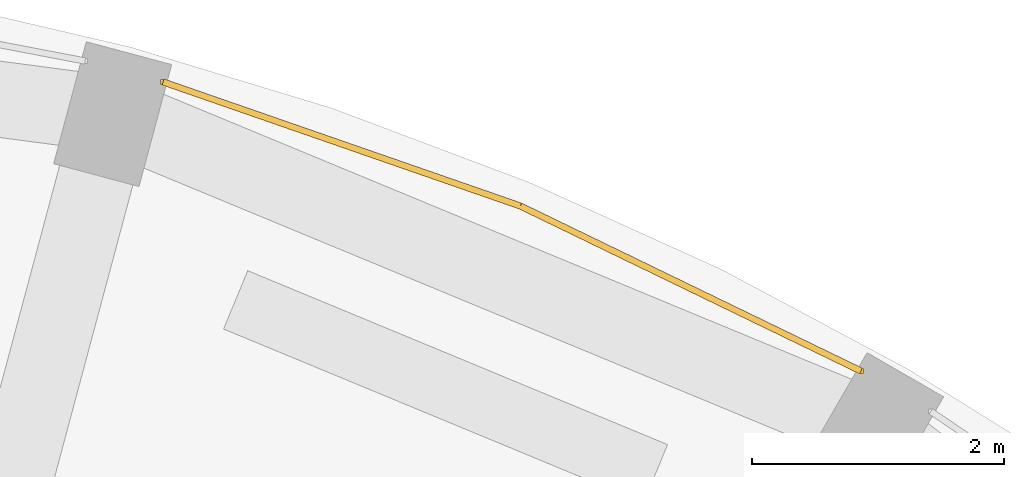
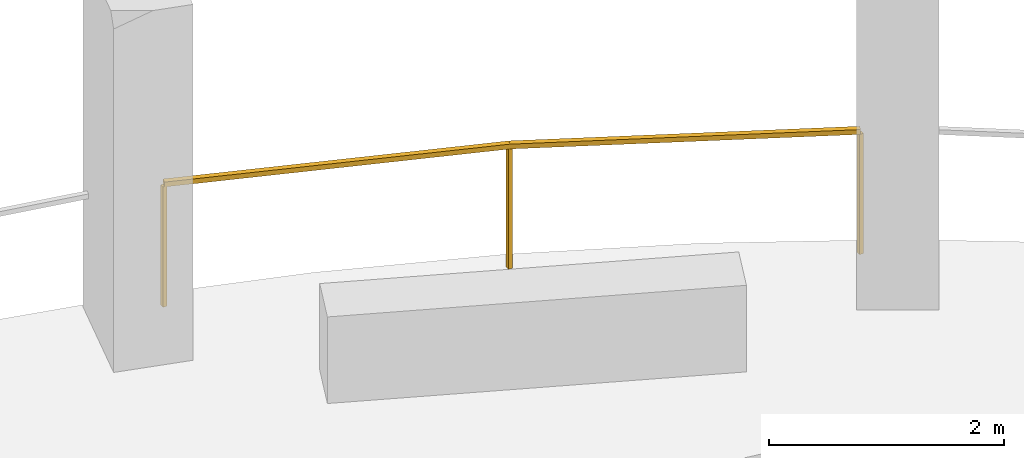
# One storey, part 8 of 8: 1 railing.
"""IFC4 building model written with IfcOpenShell, lengths in metres."""

from ifc_helpers import new_model, si_unit, direction, frame, origin, origin_2d, place, context, subcontext, project, spatial, rectangle, extrude, material, type_object, element, save


model = new_model("IFC4")

# Units and contexts
model_context = context("Model", 3, precision=1e-05, world=origin(), true_north=direction((0.0, 1.0)))
body_context = subcontext(model_context, "Body", "Model", "MODEL_VIEW")
ifc_project = project(units=[si_unit("LENGTHUNIT", "METRE"), si_unit("AREAUNIT", "SQUARE_METRE"), si_unit("VOLUMEUNIT", "CUBIC_METRE"), si_unit("PLANEANGLEUNIT", "RADIAN"), si_unit("MASSUNIT", "GRAM", prefix="KILO")], contexts=[model_context])

# Site, building, storey
site_placement = place(None, origin())
site = spatial("IfcSite", under=ifc_project, at=site_placement, CompositionType="ELEMENT")
building_placement = place(site_placement, origin())
building = spatial("IfcBuilding", under=site, at=building_placement, Name="Torre Triforio", CompositionType="ELEMENT")
storey_placement = place(building_placement, frame((0.0, 0.0, 283.39990234375)))
storey = spatial("IfcBuildingStorey", under=building, at=storey_placement, Name="L65", CompositionType="ELEMENT", Elevation=283.39990234375)

# Railing
ifc_material = material(Name="Stainless steel AISI 316", Category="steel")
railing_type = type_object("IfcRailingType", Name="Loggia guard 1300", PredefinedType="GUARDRAIL", material=ifc_material)
railing_placement = place(storey_placement, frame((12.39794921875, 22.11376953125, 0.0)))
element("IfcRailing", 1, at=railing_placement, inside=storey, type_object=railing_type, Name="Loggia guard L65 bay 05", PredefinedType="GUARDRAIL", context=body_context, shape_type="SweptSolid", body=[
    extrude(rectangle(XDim=0.050048828125, YDim=0.050048828125, at=origin_2d()), frame((0.0, 0.0, 1.27490234375), z_axis=(-0.899945864081, 0.43600165335, 0.0), x_axis=(-0.43600165335, -0.899945864081, 0.0)), (0.0, 0.0, 1.0), 2.996826171875),
    extrude(rectangle(XDim=0.050048828125, YDim=0.050048828125, at=origin_2d()), frame((-2.697021484375, 1.306640625, 1.27490234375), z_axis=(-0.944674716123, 0.328008659518, 0.0), x_axis=(-0.328008659518, -0.944674716123, 0.0)), (0.0, 0.0, 1.0), 2.99658203125),
    extrude(rectangle(XDim=0.0400390625, YDim=0.0400390625, at=origin_2d()), origin(), (0.0, 0.0, 1.0), 1.25),
    extrude(rectangle(XDim=0.0400390625, YDim=0.0400390625, at=origin_2d()), frame((-2.697021484375, 1.306640625, 0.0)), (0.0, 0.0, 1.0), 1.25),
    extrude(rectangle(XDim=0.0400390625, YDim=0.0400390625, at=origin_2d()), frame((-5.52783203125, 2.28955078125, 0.0)), (0.0, 0.0, 1.0), 1.25),
])

save(model, "model.ifc")
